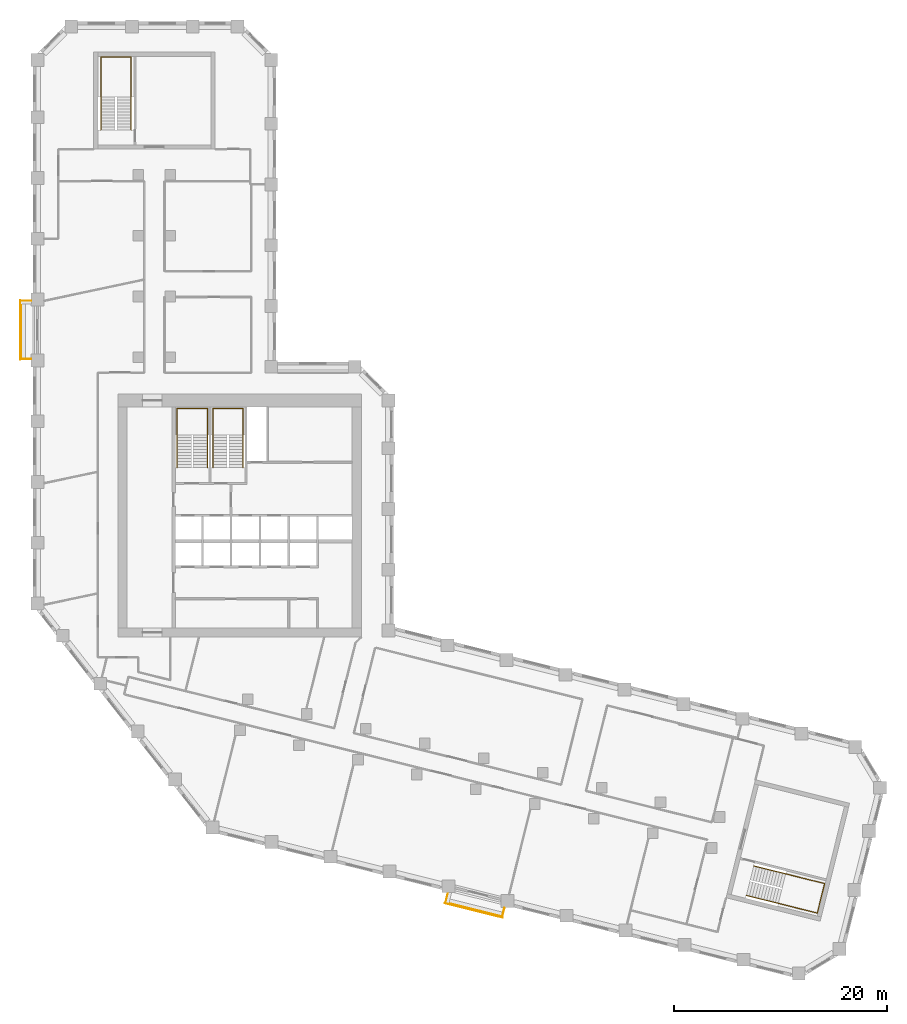
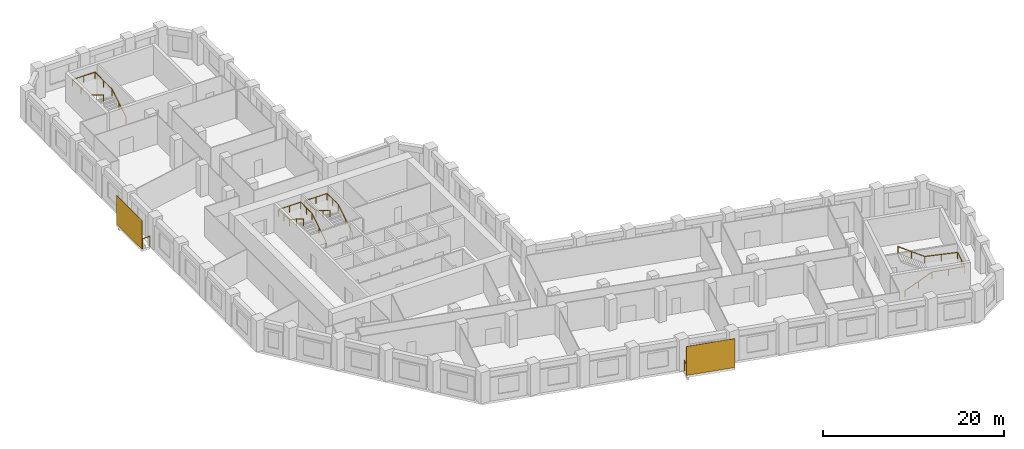
# One storey, part 10 of 10: 6 railings, 2 shading devices.
"""IFC4 building model written with IfcOpenShell, lengths in metres."""

from ifc_helpers import new_model, si_unit, direction, frame, origin, origin_2d, place, context, subcontext, project, spatial, rectangle, circle, extrude, material, layer, layer_set, type_object, element, save


model = new_model("IFC4")

# Units and contexts
model_context = context("Model", 3, precision=1e-05, world=origin(), true_north=direction((0.0, 1.0)))
body_context = subcontext(model_context, "Body", "Model", "MODEL_VIEW")
ifc_project = project(units=[si_unit("LENGTHUNIT", "METRE"), si_unit("AREAUNIT", "SQUARE_METRE"), si_unit("VOLUMEUNIT", "CUBIC_METRE"), si_unit("PLANEANGLEUNIT", "RADIAN"), si_unit("MASSUNIT", "GRAM", prefix="KILO")], contexts=[model_context])

# Site, building, storey
site_placement = place(None, origin())
site = spatial("IfcSite", under=ifc_project, at=site_placement, CompositionType="ELEMENT")
building_placement = place(site_placement, origin())
building = spatial("IfcBuilding", under=site, at=building_placement, Name="Meshkara Civic Tower", CompositionType="ELEMENT")
storey_placement = place(building_placement, frame((0.0, 0.0, 182.39990234375)))
storey = spatial("IfcBuildingStorey", under=building, at=storey_placement, Name="L41", CompositionType="ELEMENT", Elevation=182.39990234375)

# Railings
ifc_material_1 = material(Name="Steel S355", Category="steel")
railing_type_1 = type_object("IfcRailingType", Name="BALUSTRADE GUARD 1400", PredefinedType="BALUSTRADE", material=ifc_material_1)
railing_1_placement = place(storey_placement, frame((-0.14990234375, 45.635009765625, 0.0)))
element("IfcRailing", 1, at=railing_1_placement, inside=storey, type_object=railing_type_1, Name="Balcony guard", PredefinedType="BALUSTRADE", context=body_context, shape_type="SweptSolid", body=[
    extrude(circle(Radius=0.02392578125, at=origin_2d()), frame((0.0, 0.0, 1.3759765625), z_axis=(-1.0, 0.0, 0.0), x_axis=(0.0, -1.0, 0.0)), (0.0, 0.0, 1.0), 0.960205078125),
    extrude(circle(Radius=0.02392578125, at=origin_2d()), frame((-0.960205078125, 0.0, 1.3759765625), z_axis=(0.0, -1.0, 0.0), x_axis=(1.0, 0.0, 0.0)), (0.0, 0.0, 1.0), 5.4599609375),
    extrude(circle(Radius=0.02392578125, at=origin_2d()), frame((-0.960205078125, -5.4599609375, 1.3759765625), z_axis=(1.0, 0.0, 0.0), x_axis=(0.0, 1.0, 0.0)), (0.0, 0.0, 1.0), 0.960205078125),
    extrude(circle(Radius=0.02099609375, at=origin_2d()), origin(), (0.0, 0.0, 1.0), 1.351806640625),
    extrude(circle(Radius=0.02099609375, at=origin_2d()), frame((-0.960205078125, 0.0, 0.0)), (0.0, 0.0, 1.0), 1.351806640625),
    extrude(circle(Radius=0.02099609375, at=origin_2d()), frame((-0.960205078125, -1.092041015625, 0.0)), (0.0, 0.0, 1.0), 1.351806640625),
    extrude(circle(Radius=0.02099609375, at=origin_2d()), frame((-0.960205078125, -2.18408203125, 0.0)), (0.0, 0.0, 1.0), 1.351806640625),
    extrude(circle(Radius=0.02099609375, at=origin_2d()), frame((-0.960205078125, -3.27587890625, 0.0)), (0.0, 0.0, 1.0), 1.351806640625),
    extrude(circle(Radius=0.02099609375, at=origin_2d()), frame((-0.960205078125, -4.367919921875, 0.0)), (0.0, 0.0, 1.0), 1.351806640625),
    extrude(circle(Radius=0.02099609375, at=origin_2d()), frame((-0.960205078125, -5.4599609375, 0.0)), (0.0, 0.0, 1.0), 1.351806640625),
    extrude(circle(Radius=0.02099609375, at=origin_2d()), frame((0.0, -5.4599609375, 0.0)), (0.0, 0.0, 1.0), 1.351806640625),
])
railing_2_placement = place(storey_placement, frame((38.9140625, -9.988037109375, 0.0)))
element("IfcRailing", 2, at=railing_2_placement, inside=storey, type_object=railing_type_1, Name="Balcony guard", PredefinedType="BALUSTRADE", context=body_context, shape_type="SweptSolid", body=[
    extrude(circle(Radius=0.02392578125, at=origin_2d()), frame((0.0, 0.0, 1.3759765625), z_axis=(-0.241638519436, -0.97036633594, 0.0), x_axis=(0.97036633594, -0.241638519436, 0.0)), (0.0, 0.0, 1.0), 0.83251953125),
    extrude(circle(Radius=0.02392578125, at=origin_2d()), frame((-0.201171875, -0.807861328125, 1.3759765625), z_axis=(0.970292231073, -0.24193591366, 0.0), x_axis=(0.24193591366, 0.970292231073, 0.0)), (0.0, 0.0, 1.0), 5.460205078125),
    extrude(circle(Radius=0.02392578125, at=origin_2d()), frame((5.096923828125, -2.12890625, 1.3759765625), z_axis=(0.242466638965, 0.970159744057, 0.0), x_axis=(-0.970159744057, 0.242466638965, 0.0)), (0.0, 0.0, 1.0), 0.832763671875),
    extrude(circle(Radius=0.02099609375, at=origin_2d()), origin(), (0.0, 0.0, 1.0), 1.351806640625),
    extrude(circle(Radius=0.02099609375, at=origin_2d()), frame((-0.201171875, -0.807861328125, 0.0)), (0.0, 0.0, 1.0), 1.351806640625),
    extrude(circle(Radius=0.02099609375, at=origin_2d()), frame((0.8583984375, -1.072021484375, 0.0)), (0.0, 0.0, 1.0), 1.351806640625),
    extrude(circle(Radius=0.02099609375, at=origin_2d()), frame((1.91796875, -1.336181640625, 0.0)), (0.0, 0.0, 1.0), 1.351806640625),
    extrude(circle(Radius=0.02099609375, at=origin_2d()), frame((2.977783203125, -1.6005859375, 0.0)), (0.0, 0.0, 1.0), 1.351806640625),
    extrude(circle(Radius=0.02099609375, at=origin_2d()), frame((4.037353515625, -1.86474609375, 0.0)), (0.0, 0.0, 1.0), 1.351806640625),
    extrude(circle(Radius=0.02099609375, at=origin_2d()), frame((5.096923828125, -2.12890625, 0.0)), (0.0, 0.0, 1.0), 1.351806640625),
    extrude(circle(Radius=0.02099609375, at=origin_2d()), frame((5.298828125, -1.321044921875, 0.0)), (0.0, 0.0, 1.0), 1.351806640625),
])

# Shading devices
ifc_material_2 = material(Name="Perforated bronze anodised aluminium sheet", Category="aluminium")
ifc_layer = layer(ifc_material_2, 0.0400390625)
ifc_layer_set = layer_set([ifc_layer], Name="PERFORATED BRONZE SCREEN")
shading_device_type = type_object("IfcShadingDeviceType", Name="PERFORATED BRONZE SCREEN", PredefinedType="USERDEFINED", material=ifc_layer_set)
for number, where, z_axis, x_axis, name in (
    (3, (-1.179931640625, 42.905029296875, 0.000244140625), (0.0, 0.0, 1.0), (0.0, -1.0, 0.0), "Balcony screen"),
    (4, (41.344970703125, -11.52392578125, 0.000244140625), (0.0, 0.0, 1.0), (0.970299948462, -0.241904960708, 0.0), "Balcony screen"),
):
    element("IfcShadingDevice", number, at=place(storey_placement, frame(where, z_axis=z_axis, x_axis=x_axis)), inside=storey, type_object=shading_device_type, Name=name, ObjectType="SCREEN", PredefinedType="USERDEFINED", context=body_context, shape_type="SweptSolid", body=[
        extrude(rectangle(XDim=5.580078125, YDim=0.0400390625, at=origin_2d()), origin(), (0.0, 0.0, 1.0), 3.89990234375),
    ])

# Railings
ifc_material_3 = material(Name="Steel handrail", Category="steel")
railing_type_2 = type_object("IfcRailingType", Name="Stair handrail 900", PredefinedType="HANDRAIL", material=ifc_material_3)
railing_3_placement = place(storey_placement, frame((16.375, 30.0, 0.175048828125)))
element("IfcRailing", 5, at=railing_3_placement, inside=storey, type_object=railing_type_2, Name="L41 ST1 stair handrail 1", PredefinedType="HANDRAIL", context=body_context, shape_type="SweptSolid", body=[
    extrude(circle(Radius=0.02392578125, at=origin_2d()), frame((0.0, 0.0, 0.8759765625), z_axis=(0.0, 0.847998304005, 0.529998940003), x_axis=(-1.0, 0.0, 0.0)), (0.0, 0.0, 1.0), 3.632080078125),
    extrude(circle(Radius=0.02392578125, at=origin_2d()), frame((0.0, 3.080078125, 2.80078125), z_axis=(0.0, 1.0, 0.0), x_axis=(-1.0, 0.0, 0.0)), (0.0, 0.0, 1.0), 2.469970703125),
    extrude(circle(Radius=0.02392578125, at=origin_2d()), frame((0.0, 5.550048828125, 2.80078125), z_axis=(-1.0, 0.0, 0.0), x_axis=(0.0, -1.0, 0.0)), (0.0, 0.0, 1.0), 2.85009765625),
    extrude(circle(Radius=0.02392578125, at=origin_2d()), frame((-2.85009765625, 5.550048828125, 2.80078125), z_axis=(0.0, -0.997498084828, 0.070693498747), x_axis=(1.0, 0.0, 0.0)), (0.0, 0.0, 1.0), 2.47607421875),
    extrude(circle(Radius=0.02392578125, at=origin_2d()), frame((-2.85009765625, 3.080078125, 2.97607421875), z_axis=(0.0, -0.847998304005, 0.529998940003), x_axis=(1.0, 0.0, 0.0)), (0.0, 0.0, 1.0), 3.632080078125),
    extrude(circle(Radius=0.02099609375, at=origin_2d()), origin(), (0.0, 0.0, 1.0), 0.851806640625),
    extrude(circle(Radius=0.02099609375, at=origin_2d()), frame((0.0, 1.5400390625, 0.96240234375)), (0.0, 0.0, 1.0), 0.851806640625),
    extrude(circle(Radius=0.02099609375, at=origin_2d()), frame((0.0, 3.080078125, 1.925048828125)), (0.0, 0.0, 1.0), 0.851806640625),
    extrude(circle(Radius=0.02099609375, at=origin_2d()), frame((0.0, 4.31494140625, 1.925048828125)), (0.0, 0.0, 1.0), 0.851806640625),
    extrude(circle(Radius=0.02099609375, at=origin_2d()), frame((0.0, 5.550048828125, 1.925048828125)), (0.0, 0.0, 1.0), 0.851806640625),
    extrude(circle(Radius=0.02099609375, at=origin_2d()), frame((-1.425048828125, 5.550048828125, 1.925048828125)), (0.0, 0.0, 1.0), 0.851806640625),
    extrude(circle(Radius=0.02099609375, at=origin_2d()), frame((-2.85009765625, 5.550048828125, 1.925048828125)), (0.0, 0.0, 1.0), 0.851806640625),
    extrude(circle(Radius=0.02099609375, at=origin_2d()), frame((-2.85009765625, 4.31494140625, 2.0126953125)), (0.0, 0.0, 1.0), 0.851806640625),
    extrude(circle(Radius=0.02099609375, at=origin_2d()), frame((-2.85009765625, 3.080078125, 2.10009765625)), (0.0, 0.0, 1.0), 0.851806640625),
    extrude(circle(Radius=0.02099609375, at=origin_2d()), frame((-2.85009765625, 1.5400390625, 3.0625)), (0.0, 0.0, 1.0), 0.851806640625),
    extrude(circle(Radius=0.02099609375, at=origin_2d()), frame((-2.85009765625, 0.0, 4.025146484375)), (0.0, 0.0, 1.0), 0.851806640625),
])
railing_4_placement = place(storey_placement, frame((19.72509765625, 30.0, 0.175048828125)))
element("IfcRailing", 6, at=railing_4_placement, inside=storey, type_object=railing_type_2, Name="L41 ST2 stair handrail 1", PredefinedType="HANDRAIL", context=body_context, shape_type="SweptSolid", body=[
    extrude(circle(Radius=0.02392578125, at=origin_2d()), frame((0.0, 0.0, 0.8759765625), z_axis=(0.0, 0.847998304005, 0.529998940003), x_axis=(-1.0, 0.0, 0.0)), (0.0, 0.0, 1.0), 3.632080078125),
    extrude(circle(Radius=0.02392578125, at=origin_2d()), frame((0.0, 3.080078125, 2.80078125), z_axis=(0.0, 1.0, 0.0), x_axis=(-1.0, 0.0, 0.0)), (0.0, 0.0, 1.0), 2.469970703125),
    extrude(circle(Radius=0.02392578125, at=origin_2d()), frame((0.0, 5.550048828125, 2.80078125), z_axis=(-1.0, 0.0, 0.0), x_axis=(0.0, -1.0, 0.0)), (0.0, 0.0, 1.0), 2.85009765625),
    extrude(circle(Radius=0.02392578125, at=origin_2d()), frame((-2.85009765625, 5.550048828125, 2.80078125), z_axis=(0.0, -0.997498084828, 0.070693498747), x_axis=(1.0, 0.0, 0.0)), (0.0, 0.0, 1.0), 2.47607421875),
    extrude(circle(Radius=0.02392578125, at=origin_2d()), frame((-2.85009765625, 3.080078125, 2.97607421875), z_axis=(0.0, -0.847998304005, 0.529998940003), x_axis=(1.0, 0.0, 0.0)), (0.0, 0.0, 1.0), 3.632080078125),
    extrude(circle(Radius=0.02099609375, at=origin_2d()), origin(), (0.0, 0.0, 1.0), 0.851806640625),
    extrude(circle(Radius=0.02099609375, at=origin_2d()), frame((0.0, 1.5400390625, 0.96240234375)), (0.0, 0.0, 1.0), 0.851806640625),
    extrude(circle(Radius=0.02099609375, at=origin_2d()), frame((0.0, 3.080078125, 1.925048828125)), (0.0, 0.0, 1.0), 0.851806640625),
    extrude(circle(Radius=0.02099609375, at=origin_2d()), frame((0.0, 4.31494140625, 1.925048828125)), (0.0, 0.0, 1.0), 0.851806640625),
    extrude(circle(Radius=0.02099609375, at=origin_2d()), frame((0.0, 5.550048828125, 1.925048828125)), (0.0, 0.0, 1.0), 0.851806640625),
    extrude(circle(Radius=0.02099609375, at=origin_2d()), frame((-1.425048828125, 5.550048828125, 1.925048828125)), (0.0, 0.0, 1.0), 0.851806640625),
    extrude(circle(Radius=0.02099609375, at=origin_2d()), frame((-2.85009765625, 5.550048828125, 1.925048828125)), (0.0, 0.0, 1.0), 0.851806640625),
    extrude(circle(Radius=0.02099609375, at=origin_2d()), frame((-2.85009765625, 4.31494140625, 2.0126953125)), (0.0, 0.0, 1.0), 0.851806640625),
    extrude(circle(Radius=0.02099609375, at=origin_2d()), frame((-2.85009765625, 3.080078125, 2.10009765625)), (0.0, 0.0, 1.0), 0.851806640625),
    extrude(circle(Radius=0.02099609375, at=origin_2d()), frame((-2.85009765625, 1.5400390625, 3.0625)), (0.0, 0.0, 1.0), 0.851806640625),
    extrude(circle(Radius=0.02099609375, at=origin_2d()), frame((-2.85009765625, 0.0, 4.025146484375)), (0.0, 0.0, 1.0), 0.851806640625),
])
railing_5_placement = place(storey_placement, frame((9.22509765625, 61.669921875, 0.175048828125)))
element("IfcRailing", 7, at=railing_5_placement, inside=storey, type_object=railing_type_2, Name="L41 ESA3 stair handrail 1", PredefinedType="HANDRAIL", context=body_context, shape_type="SweptSolid", body=[
    extrude(circle(Radius=0.02392578125, at=origin_2d()), frame((0.0, 0.0, 0.8759765625), z_axis=(0.0, 0.847998304005, 0.529998940003), x_axis=(-1.0, 0.0, 0.0)), (0.0, 0.0, 1.0), 3.632080078125),
    extrude(circle(Radius=0.02392578125, at=origin_2d()), frame((0.0, 3.080078125, 2.80078125), z_axis=(0.0, 1.0, 0.0), x_axis=(-1.0, 0.0, 0.0)), (0.0, 0.0, 1.0), 3.77001953125),
    extrude(circle(Radius=0.02392578125, at=origin_2d()), frame((0.0, 6.85009765625, 2.80078125), z_axis=(-1.0, 0.0, 0.0), x_axis=(0.0, -1.0, 0.0)), (0.0, 0.0, 1.0), 2.85009765625),
    extrude(circle(Radius=0.02392578125, at=origin_2d()), frame((-2.85009765625, 6.85009765625, 2.80078125), z_axis=(0.0, -0.9989237834, 0.046381838667), x_axis=(1.0, 0.0, 0.0)), (0.0, 0.0, 1.0), 3.774169921875),
    extrude(circle(Radius=0.02392578125, at=origin_2d()), frame((-2.85009765625, 3.080078125, 2.97607421875), z_axis=(0.0, -0.847998304005, 0.529998940003), x_axis=(1.0, 0.0, 0.0)), (0.0, 0.0, 1.0), 3.632080078125),
    extrude(circle(Radius=0.02099609375, at=origin_2d()), origin(), (0.0, 0.0, 1.0), 0.851806640625),
    extrude(circle(Radius=0.02099609375, at=origin_2d()), frame((0.0, 1.5400390625, 0.96240234375)), (0.0, 0.0, 1.0), 0.851806640625),
    extrude(circle(Radius=0.02099609375, at=origin_2d()), frame((0.0, 3.080078125, 1.925048828125)), (0.0, 0.0, 1.0), 0.851806640625),
    extrude(circle(Radius=0.02099609375, at=origin_2d()), frame((0.0, 4.965087890625, 1.925048828125)), (0.0, 0.0, 1.0), 0.851806640625),
    extrude(circle(Radius=0.02099609375, at=origin_2d()), frame((0.0, 6.85009765625, 1.925048828125)), (0.0, 0.0, 1.0), 0.851806640625),
    extrude(circle(Radius=0.02099609375, at=origin_2d()), frame((-1.425048828125, 6.85009765625, 1.925048828125)), (0.0, 0.0, 1.0), 0.851806640625),
    extrude(circle(Radius=0.02099609375, at=origin_2d()), frame((-2.85009765625, 6.85009765625, 1.925048828125)), (0.0, 0.0, 1.0), 0.851806640625),
    extrude(circle(Radius=0.02099609375, at=origin_2d()), frame((-2.85009765625, 4.965087890625, 2.0126953125)), (0.0, 0.0, 1.0), 0.851806640625),
    extrude(circle(Radius=0.02099609375, at=origin_2d()), frame((-2.85009765625, 3.080078125, 2.10009765625)), (0.0, 0.0, 1.0), 0.851806640625),
    extrude(circle(Radius=0.02099609375, at=origin_2d()), frame((-2.85009765625, 1.5400390625, 3.0625)), (0.0, 0.0, 1.0), 0.851806640625),
    extrude(circle(Radius=0.02099609375, at=origin_2d()), frame((-2.85009765625, 0.0, 4.025146484375)), (0.0, 0.0, 1.0), 0.851806640625),
])
railing_6_placement = place(storey_placement, frame((66.910888671875, -10.1123046875, 0.175048828125)))
element("IfcRailing", 8, at=railing_6_placement, inside=storey, type_object=railing_type_2, Name="L41 ESB3 stair handrail 1", PredefinedType="HANDRAIL", context=body_context, shape_type="SweptSolid", body=[
    extrude(circle(Radius=0.02392578125, at=origin_2d()), frame((0.0, 0.0, 0.8759765625), z_axis=(0.822816010835, -0.205082235851, 0.530014234575), x_axis=(0.241845469214, 0.970314778317, 0.0)), (0.0, 0.0, 1.0), 3.632080078125),
    extrude(circle(Radius=0.02392578125, at=origin_2d()), frame((2.988525390625, -0.744873046875, 2.80078125), z_axis=(0.970325068916, -0.241804178279, 0.0), x_axis=(0.241804178279, 0.970325068916, 0.0)), (0.0, 0.0, 1.0), 3.77001953125),
    extrude(circle(Radius=0.02392578125, at=origin_2d()), frame((6.646728515625, -1.656494140625, 2.80078125), z_axis=(0.24183009087, 0.970318611153, 0.0), x_axis=(-0.970318611153, 0.24183009087, 0.0)), (0.0, 0.0, 1.0), 2.849853515625),
    extrude(circle(Radius=0.02392578125, at=origin_2d()), frame((7.3359375, 1.10888671875, 2.80078125), z_axis=(-0.969280822407, 0.241543952941, 0.046381096481), x_axis=(-0.241804178279, -0.970325068916, 0.0)), (0.0, 0.0, 1.0), 3.774169921875),
    extrude(circle(Radius=0.02392578125, at=origin_2d()), frame((3.677734375, 2.0205078125, 2.97607421875), z_axis=(-0.822816010835, 0.205082235851, 0.530014234575), x_axis=(-0.241845469214, -0.970314778317, 0.0)), (0.0, 0.0, 1.0), 3.632080078125),
    extrude(circle(Radius=0.02099609375, at=origin_2d()), origin(), (0.0, 0.0, 1.0), 0.851806640625),
    extrude(circle(Radius=0.02099609375, at=origin_2d()), frame((1.494140625, -0.37255859375, 0.96240234375)), (0.0, 0.0, 1.0), 0.851806640625),
    extrude(circle(Radius=0.02099609375, at=origin_2d()), frame((2.988525390625, -0.744873046875, 1.925048828125)), (0.0, 0.0, 1.0), 0.851806640625),
    extrude(circle(Radius=0.02099609375, at=origin_2d()), frame((4.817626953125, -1.20068359375, 1.925048828125)), (0.0, 0.0, 1.0), 0.851806640625),
    extrude(circle(Radius=0.02099609375, at=origin_2d()), frame((6.646728515625, -1.656494140625, 1.925048828125)), (0.0, 0.0, 1.0), 0.851806640625),
    extrude(circle(Radius=0.02099609375, at=origin_2d()), frame((6.9912109375, -0.27392578125, 1.925048828125)), (0.0, 0.0, 1.0), 0.851806640625),
    extrude(circle(Radius=0.02099609375, at=origin_2d()), frame((7.3359375, 1.10888671875, 1.925048828125)), (0.0, 0.0, 1.0), 0.851806640625),
    extrude(circle(Radius=0.02099609375, at=origin_2d()), frame((5.5068359375, 1.564697265625, 2.0126953125)), (0.0, 0.0, 1.0), 0.851806640625),
    extrude(circle(Radius=0.02099609375, at=origin_2d()), frame((3.677734375, 2.0205078125, 2.10009765625)), (0.0, 0.0, 1.0), 0.851806640625),
    extrude(circle(Radius=0.02099609375, at=origin_2d()), frame((2.18359375, 2.39306640625, 3.0625)), (0.0, 0.0, 1.0), 0.851806640625),
    extrude(circle(Radius=0.02099609375, at=origin_2d()), frame((0.689208984375, 2.765380859375, 4.025146484375)), (0.0, 0.0, 1.0), 0.851806640625),
])

save(model, "model.ifc")
